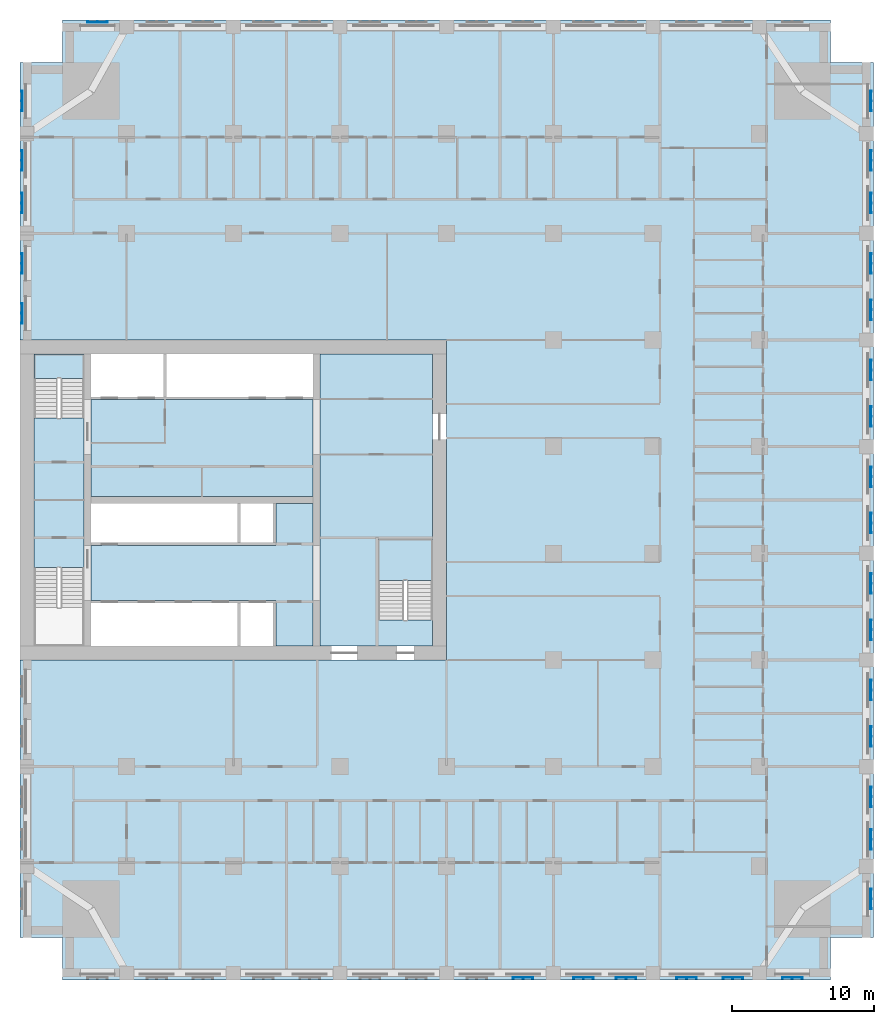
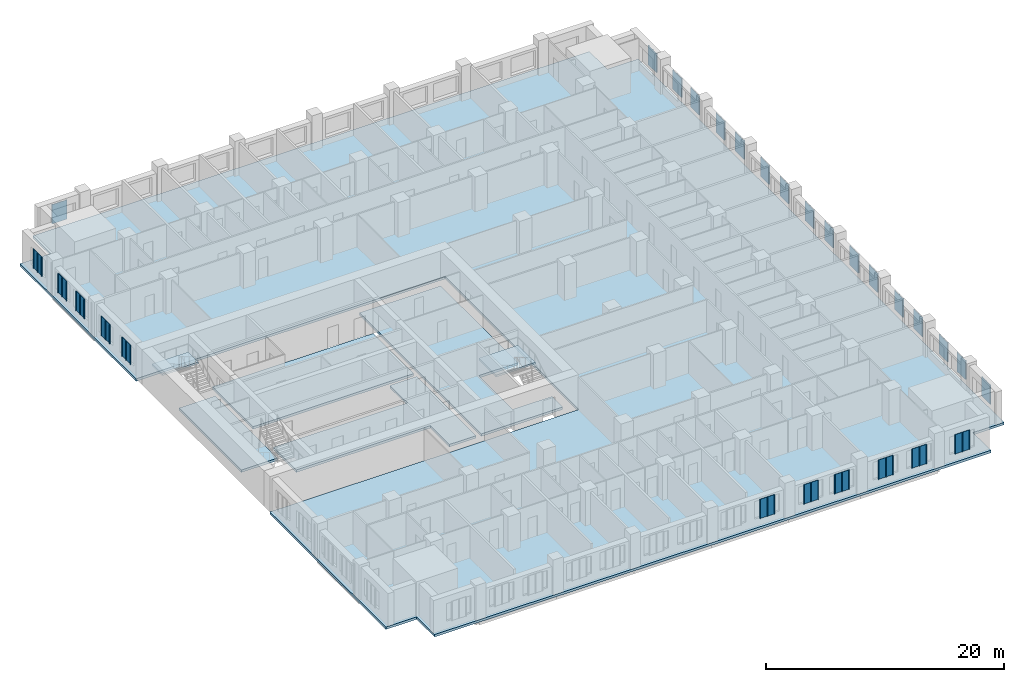
# One storey, part 2 of 15: 28 plates, 7 slabs, 2 elements without a shape of their own.
"""IFC4 building model written with IfcOpenShell, lengths in metres."""

from ifc_helpers import new_model, si_unit, direction, frame, origin, place, context, subcontext, project, spatial, polyline, outline, extrude, material, layer, layer_set, type_object, element, aggregate, save


model = new_model("IFC4")

# Units and contexts
model_context = context("Model", 3, precision=1e-05, world=origin(), true_north=direction((0.0, 1.0)))
body_context = subcontext(model_context, "Body", "Model", "MODEL_VIEW")
ifc_project = project(units=[si_unit("LENGTHUNIT", "METRE"), si_unit("AREAUNIT", "SQUARE_METRE"), si_unit("VOLUMEUNIT", "CUBIC_METRE"), si_unit("PLANEANGLEUNIT", "RADIAN"), si_unit("MASSUNIT", "GRAM", prefix="KILO")], contexts=[model_context])

# Site, building, storey
site_placement = place(None, origin())
site = spatial("IfcSite", under=ifc_project, at=site_placement, CompositionType="ELEMENT")
building_placement = place(site_placement, origin())
building = spatial("IfcBuilding", under=site, at=building_placement, Name="Tamorin Gate", CompositionType="ELEMENT")
storey_placement = place(building_placement, frame((0.0, 0.0, 62.800048828125)))
storey = spatial("IfcBuildingStorey", under=building, at=storey_placement, Name="L14", CompositionType="ELEMENT", Elevation=62.800048828125)

# Slabs
ifc_material_1 = material(Name="Concrete C40/50", Category="concrete")
ifc_layer_1 = layer(ifc_material_1, 0.25)
ifc_layer_set_1 = layer_set([ifc_layer_1], Name="Core floor slab 250 C40/50")
slab_type_1 = type_object("IfcSlabType", Name="Core floor slab 250 C40/50", PredefinedType="FLOOR", material=ifc_layer_set_1)
slab_1_placement = place(storey_placement, frame((0.0, 0.0, -0.25)))
element("IfcSlab", 1, at=slab_1_placement, inside=storey, type_object=slab_type_1, Name="Core floor L14", PredefinedType="FLOOR", context=body_context, shape_type="SweptSolid", body=[
    extrude(outline(polyline([(59.0, 62.800048828125), (59.0, 61.0), (51.10009765625, 61.0), (51.10009765625, 81.5), (59.0, 81.5), (59.0, 68.5), (55.199951171875, 68.5), (55.199951171875, 62.800048828125), (59.0, 62.800048828125)])), origin(), (0.0, 0.0, 1.0), 0.25),
])
slab_2_placement = place(storey_placement, frame((0.0, 0.0, -0.25)))
element("IfcSlab", 2, at=slab_2_placement, inside=storey, type_object=slab_type_1, Name="Core floor L14", PredefinedType="FLOOR", context=body_context, shape_type="SweptSolid", body=[
    extrude(outline(polyline([(50.60009765625, 61.0), (48.0, 61.0), (48.0, 64.199951171875), (35.0, 64.199951171875), (35.0, 68.050048828125), (48.0, 68.050048828125), (48.0, 71.0), (50.60009765625, 71.0), (50.60009765625, 61.0)])), origin(), (0.0, 0.0, 1.0), 0.25),
])
slab_3_placement = place(storey_placement, frame((0.0, 0.0, -0.25)))
element("IfcSlab", 3, at=slab_3_placement, inside=storey, type_object=slab_type_1, Name="Core floor L14", PredefinedType="FLOOR", context=body_context, shape_type="SweptSolid", body=[
    extrude(outline(polyline([(50.60009765625, 71.5), (35.0, 71.5), (35.0, 78.300048828125), (50.60009765625, 78.300048828125), (50.60009765625, 71.5)])), origin(), (0.0, 0.0, 1.0), 0.25),
])
slab_4_placement = place(storey_placement, frame((0.0, 0.0, -0.25)))
element("IfcSlab", 4, at=slab_4_placement, inside=storey, type_object=slab_type_1, Name="Core floor L14", PredefinedType="FLOOR", context=body_context, shape_type="SweptSolid", body=[
    extrude(outline(polyline([(31.0, 66.5), (31.0, 77.0), (34.5, 77.0), (34.5, 66.5), (31.0, 66.5)])), origin(), (0.0, 0.0, 1.0), 0.25),
])

# Stair, slab
stair_type = type_object("IfcStairType", Name="Exit stair", PredefinedType="HALF_TURN_STAIR", material=ifc_material_1)
stair_1_placement = place(storey_placement, origin())
stair_1 = element("IfcStair", 5, at=stair_1_placement, inside=storey, type_object=stair_type, Name="L14 stair ST2", PredefinedType="HALF_TURN_STAIR")
ifc_layer_2 = layer(ifc_material_1, 0.199951171875)
ifc_layer_set_2 = layer_set([ifc_layer_2], Name="Exit stair landing 200")
slab_type_2 = type_object("IfcSlabType", Name="Exit stair landing 200", PredefinedType="LANDING", material=ifc_layer_set_2)
slab_5_placement = place(storey_placement, frame((0.0, 0.0, 1.599853515625)))
slab_5 = element("IfcSlab", 6, at=slab_5_placement, type_object=slab_type_2, Name="ST2 landing 1", PredefinedType="LANDING", context=body_context, shape_type="SweptSolid", body=[
    extrude(outline(polyline([(34.5, 79.800048828125), (34.5, 81.5), (31.0, 81.5), (31.0, 79.800048828125), (34.5, 79.800048828125)])), origin(), (0.0, 0.0, 1.0), 0.2001953125),
])
aggregate(stair_1, [slab_5])

stair_2_placement = place(storey_placement, origin())
stair_2 = element("IfcStair", 7, at=stair_2_placement, inside=storey, type_object=stair_type, Name="L14 stair ST3", PredefinedType="HALF_TURN_STAIR")
slab_6_placement = place(storey_placement, frame((0.0, 0.0, 1.599853515625)))
slab_6 = element("IfcSlab", 8, at=slab_6_placement, type_object=slab_type_2, Name="ST3 landing 1", PredefinedType="LANDING", context=body_context, shape_type="SweptSolid", body=[
    extrude(outline(polyline([(59.0, 65.60009765625), (59.0, 68.5), (55.199951171875, 68.5), (55.199951171875, 65.60009765625), (59.0, 65.60009765625)])), origin(), (0.0, 0.0, 1.0), 0.2001953125),
])
aggregate(stair_2, [slab_6])

# Slab
ifc_layer_3 = layer(ifc_material_1, 0.25)
ifc_layer_set_3 = layer_set([ifc_layer_3], Name="Floor slab 250 C40/50")
slab_type_3 = type_object("IfcSlabType", Name="Floor slab 250 C40/50", PredefinedType="FLOOR", material=ifc_layer_set_3)
slab_7_placement = place(storey_placement, frame((0.0, 0.0, -0.25)))
element("IfcSlab", 9, at=slab_7_placement, inside=storey, type_object=slab_type_3, Name="Floor L14", PredefinedType="FLOOR", context=body_context, shape_type="SweptSolid", body=[
    extrude(outline(polyline([(30.0, 102.0), (33.0, 102.0), (33.0, 105.0), (87.0, 105.0), (87.0, 102.0), (90.0, 102.0), (90.0, 40.5), (87.0, 40.5), (87.0, 37.5), (33.0, 37.5), (33.0, 40.5), (30.0, 40.5), (30.0, 60.0), (60.0, 60.0), (60.0, 82.5), (30.0, 82.5), (30.0, 102.0)])), origin(), (0.0, 0.0, 1.0), 0.25),
])

# Plates
ifc_material_2 = material(Name="Perforated pale aluminium sheet", Category="aluminium")
ifc_layer_4 = layer(ifc_material_2, 0.0400390625)
ifc_layer_set_4 = layer_set([ifc_layer_4], Name="Pale metal solar screen 1440")
plate_type = type_object("IfcPlateType", Name="Pale metal solar screen 1440", PredefinedType="SHEET", material=ifc_layer_set_4)
plate_1_placement = place(storey_placement, frame((0.0, 0.0, 0.7099609375)))
element("IfcPlate", 10, at=plate_1_placement, inside=storey, type_object=plate_type, Name="Perforated solar screen", PredefinedType="SHEET", context=body_context, shape_type="SweptSolid", body=[
    extrude(outline(polyline([(64.655029296875, 37.659912109375), (64.655029296875, 37.699951171875), (64.715087890625, 37.699951171875), (65.344970703125, 37.699951171875), (65.405029296875, 37.699951171875), (66.034912109375, 37.699951171875), (66.094970703125, 37.699951171875), (66.094970703125, 37.659912109375), (66.094970703125, 37.60009765625), (66.034912109375, 37.60009765625), (66.034912109375, 37.659912109375), (65.405029296875, 37.659912109375), (65.405029296875, 37.60009765625), (65.344970703125, 37.60009765625), (65.344970703125, 37.659912109375), (64.715087890625, 37.659912109375), (64.715087890625, 37.60009765625), (64.655029296875, 37.60009765625), (64.655029296875, 37.659912109375)])), origin(), (0.0, 0.0, 1.0), 1.97998046875),
])
plate_2_placement = place(storey_placement, frame((0.0, 0.0, 0.7099609375)))
element("IfcPlate", 11, at=plate_2_placement, inside=storey, type_object=plate_type, Name="Perforated solar screen", PredefinedType="SHEET", context=body_context, shape_type="SweptSolid", body=[
    extrude(outline(polyline([(68.905029296875, 37.659912109375), (68.905029296875, 37.699951171875), (68.965087890625, 37.699951171875), (69.594970703125, 37.699951171875), (69.655029296875, 37.699951171875), (70.284912109375, 37.699951171875), (70.344970703125, 37.699951171875), (70.344970703125, 37.659912109375), (70.344970703125, 37.60009765625), (70.284912109375, 37.60009765625), (70.284912109375, 37.659912109375), (69.655029296875, 37.659912109375), (69.655029296875, 37.60009765625), (69.594970703125, 37.60009765625), (69.594970703125, 37.659912109375), (68.965087890625, 37.659912109375), (68.965087890625, 37.60009765625), (68.905029296875, 37.60009765625), (68.905029296875, 37.659912109375)])), origin(), (0.0, 0.0, 1.0), 1.97998046875),
])
plate_3_placement = place(storey_placement, frame((0.0, 0.0, 0.7099609375)))
element("IfcPlate", 12, at=plate_3_placement, inside=storey, type_object=plate_type, Name="Perforated solar screen", PredefinedType="SHEET", context=body_context, shape_type="SweptSolid", body=[
    extrude(outline(polyline([(71.905029296875, 37.659912109375), (71.905029296875, 37.699951171875), (71.965087890625, 37.699951171875), (72.594970703125, 37.699951171875), (72.655029296875, 37.699951171875), (73.284912109375, 37.699951171875), (73.344970703125, 37.699951171875), (73.344970703125, 37.659912109375), (73.344970703125, 37.60009765625), (73.284912109375, 37.60009765625), (73.284912109375, 37.659912109375), (72.655029296875, 37.659912109375), (72.655029296875, 37.60009765625), (72.594970703125, 37.60009765625), (72.594970703125, 37.659912109375), (71.965087890625, 37.659912109375), (71.965087890625, 37.60009765625), (71.905029296875, 37.60009765625), (71.905029296875, 37.659912109375)])), origin(), (0.0, 0.0, 1.0), 1.97998046875),
])
plate_4_placement = place(storey_placement, frame((0.0, 0.0, 0.7099609375)))
element("IfcPlate", 13, at=plate_4_placement, inside=storey, type_object=plate_type, Name="Perforated solar screen", PredefinedType="SHEET", context=body_context, shape_type="SweptSolid", body=[
    extrude(outline(polyline([(76.155029296875, 37.659912109375), (76.155029296875, 37.699951171875), (76.215087890625, 37.699951171875), (76.844970703125, 37.699951171875), (76.905029296875, 37.699951171875), (77.534912109375, 37.699951171875), (77.594970703125, 37.699951171875), (77.594970703125, 37.659912109375), (77.594970703125, 37.60009765625), (77.534912109375, 37.60009765625), (77.534912109375, 37.659912109375), (76.905029296875, 37.659912109375), (76.905029296875, 37.60009765625), (76.844970703125, 37.60009765625), (76.844970703125, 37.659912109375), (76.215087890625, 37.659912109375), (76.215087890625, 37.60009765625), (76.155029296875, 37.60009765625), (76.155029296875, 37.659912109375)])), origin(), (0.0, 0.0, 1.0), 1.97998046875),
])
plate_5_placement = place(storey_placement, frame((0.0, 0.0, 0.7099609375)))
element("IfcPlate", 14, at=plate_5_placement, inside=storey, type_object=plate_type, Name="Perforated solar screen", PredefinedType="SHEET", context=body_context, shape_type="SweptSolid", body=[
    extrude(outline(polyline([(79.405029296875, 37.659912109375), (79.405029296875, 37.699951171875), (79.465087890625, 37.699951171875), (80.094970703125, 37.699951171875), (80.155029296875, 37.699951171875), (80.784912109375, 37.699951171875), (80.844970703125, 37.699951171875), (80.844970703125, 37.659912109375), (80.844970703125, 37.60009765625), (80.784912109375, 37.60009765625), (80.784912109375, 37.659912109375), (80.155029296875, 37.659912109375), (80.155029296875, 37.60009765625), (80.094970703125, 37.60009765625), (80.094970703125, 37.659912109375), (79.465087890625, 37.659912109375), (79.465087890625, 37.60009765625), (79.405029296875, 37.60009765625), (79.405029296875, 37.659912109375)])), origin(), (0.0, 0.0, 1.0), 1.97998046875),
])
plate_6_placement = place(storey_placement, frame((0.0, 0.0, 0.7099609375)))
element("IfcPlate", 15, at=plate_6_placement, inside=storey, type_object=plate_type, Name="Perforated solar screen", PredefinedType="SHEET", context=body_context, shape_type="SweptSolid", body=[
    extrude(outline(polyline([(83.580078125, 37.659912109375), (83.580078125, 37.699951171875), (83.639892578125, 37.699951171875), (84.27001953125, 37.699951171875), (84.330078125, 37.699951171875), (84.9599609375, 37.699951171875), (85.02001953125, 37.699951171875), (85.02001953125, 37.659912109375), (85.02001953125, 37.60009765625), (84.9599609375, 37.60009765625), (84.9599609375, 37.659912109375), (84.330078125, 37.659912109375), (84.330078125, 37.60009765625), (84.27001953125, 37.60009765625), (84.27001953125, 37.659912109375), (83.639892578125, 37.659912109375), (83.639892578125, 37.60009765625), (83.580078125, 37.60009765625), (83.580078125, 37.659912109375)])), origin(), (0.0, 0.0, 1.0), 1.97998046875),
])
plate_7_placement = place(storey_placement, frame((0.0, 0.0, 0.7099609375)))
element("IfcPlate", 16, at=plate_7_placement, inside=storey, type_object=plate_type, Name="Perforated solar screen", PredefinedType="SHEET", context=body_context, shape_type="SweptSolid", body=[
    extrude(outline(polyline([(89.840087890625, 42.47998046875), (89.800048828125, 42.47998046875), (89.800048828125, 42.5400390625), (89.800048828125, 43.169921875), (89.800048828125, 43.22998046875), (89.800048828125, 43.860107421875), (89.800048828125, 43.919921875), (89.840087890625, 43.919921875), (89.89990234375, 43.919921875), (89.89990234375, 43.860107421875), (89.840087890625, 43.860107421875), (89.840087890625, 43.22998046875), (89.89990234375, 43.22998046875), (89.89990234375, 43.169921875), (89.840087890625, 43.169921875), (89.840087890625, 42.5400390625), (89.89990234375, 42.5400390625), (89.89990234375, 42.47998046875), (89.840087890625, 42.47998046875)])), origin(), (0.0, 0.0, 1.0), 1.97998046875),
])
plate_8_placement = place(storey_placement, frame((0.0, 0.0, 0.7099609375)))
element("IfcPlate", 17, at=plate_8_placement, inside=storey, type_object=plate_type, Name="Perforated solar screen", PredefinedType="SHEET", context=body_context, shape_type="SweptSolid", body=[
    extrude(outline(polyline([(89.840087890625, 46.655029296875), (89.800048828125, 46.655029296875), (89.800048828125, 46.715087890625), (89.800048828125, 47.344970703125), (89.800048828125, 47.405029296875), (89.800048828125, 48.034912109375), (89.800048828125, 48.094970703125), (89.800048828125, 48.094970703125), (89.840087890625, 48.094970703125), (89.840087890625, 48.094970703125), (89.89990234375, 48.094970703125), (89.89990234375, 48.034912109375), (89.840087890625, 48.034912109375), (89.840087890625, 47.405029296875), (89.89990234375, 47.405029296875), (89.89990234375, 47.344970703125), (89.840087890625, 47.344970703125), (89.840087890625, 46.715087890625), (89.89990234375, 46.715087890625), (89.89990234375, 46.655029296875), (89.840087890625, 46.655029296875)])), origin(), (0.0, 0.0, 1.0), 1.97998046875),
])
plate_9_placement = place(storey_placement, frame((0.0, 0.0, 0.7099609375)))
element("IfcPlate", 18, at=plate_9_placement, inside=storey, type_object=plate_type, Name="Perforated solar screen", PredefinedType="SHEET", context=body_context, shape_type="SweptSolid", body=[
    extrude(outline(polyline([(89.840087890625, 49.655029296875), (89.800048828125, 49.655029296875), (89.800048828125, 49.715087890625), (89.800048828125, 50.344970703125), (89.800048828125, 50.405029296875), (89.800048828125, 51.034912109375), (89.800048828125, 51.094970703125), (89.840087890625, 51.094970703125), (89.89990234375, 51.094970703125), (89.89990234375, 51.034912109375), (89.840087890625, 51.034912109375), (89.840087890625, 50.405029296875), (89.89990234375, 50.405029296875), (89.89990234375, 50.344970703125), (89.840087890625, 50.344970703125), (89.840087890625, 49.715087890625), (89.89990234375, 49.715087890625), (89.89990234375, 49.655029296875), (89.840087890625, 49.655029296875)])), origin(), (0.0, 0.0, 1.0), 1.97998046875),
])
plate_10_placement = place(storey_placement, frame((0.0, 0.0, 0.7099609375)))
element("IfcPlate", 19, at=plate_10_placement, inside=storey, type_object=plate_type, Name="Perforated solar screen", PredefinedType="SHEET", context=body_context, shape_type="SweptSolid", body=[
    extrude(outline(polyline([(89.840087890625, 53.905029296875), (89.800048828125, 53.905029296875), (89.800048828125, 53.965087890625), (89.800048828125, 54.594970703125), (89.800048828125, 54.655029296875), (89.800048828125, 55.284912109375), (89.800048828125, 55.344970703125), (89.840087890625, 55.344970703125), (89.89990234375, 55.344970703125), (89.89990234375, 55.284912109375), (89.840087890625, 55.284912109375), (89.840087890625, 54.655029296875), (89.89990234375, 54.655029296875), (89.89990234375, 54.594970703125), (89.840087890625, 54.594970703125), (89.840087890625, 53.965087890625), (89.89990234375, 53.965087890625), (89.89990234375, 53.905029296875), (89.840087890625, 53.905029296875)])), origin(), (0.0, 0.0, 1.0), 1.97998046875),
])
plate_11_placement = place(storey_placement, frame((0.0, 0.0, 0.7099609375)))
element("IfcPlate", 20, at=plate_11_placement, inside=storey, type_object=plate_type, Name="Perforated solar screen", PredefinedType="SHEET", context=body_context, shape_type="SweptSolid", body=[
    extrude(outline(polyline([(89.840087890625, 57.155029296875), (89.800048828125, 57.155029296875), (89.800048828125, 57.215087890625), (89.800048828125, 57.844970703125), (89.800048828125, 57.905029296875), (89.800048828125, 58.534912109375), (89.800048828125, 58.594970703125), (89.840087890625, 58.594970703125), (89.89990234375, 58.594970703125), (89.89990234375, 58.534912109375), (89.840087890625, 58.534912109375), (89.840087890625, 57.905029296875), (89.89990234375, 57.905029296875), (89.89990234375, 57.844970703125), (89.840087890625, 57.844970703125), (89.840087890625, 57.215087890625), (89.89990234375, 57.215087890625), (89.89990234375, 57.155029296875), (89.840087890625, 57.155029296875)])), origin(), (0.0, 0.0, 1.0), 1.97998046875),
])
plate_12_placement = place(storey_placement, frame((0.0, 0.0, 0.7099609375)))
element("IfcPlate", 21, at=plate_12_placement, inside=storey, type_object=plate_type, Name="Perforated solar screen", PredefinedType="SHEET", context=body_context, shape_type="SweptSolid", body=[
    extrude(outline(polyline([(89.840087890625, 61.405029296875), (89.800048828125, 61.405029296875), (89.800048828125, 61.465087890625), (89.800048828125, 62.094970703125), (89.800048828125, 62.155029296875), (89.800048828125, 62.784912109375), (89.800048828125, 62.844970703125), (89.840087890625, 62.844970703125), (89.89990234375, 62.844970703125), (89.89990234375, 62.784912109375), (89.840087890625, 62.784912109375), (89.840087890625, 62.155029296875), (89.89990234375, 62.155029296875), (89.89990234375, 62.094970703125), (89.840087890625, 62.094970703125), (89.840087890625, 61.465087890625), (89.89990234375, 61.465087890625), (89.89990234375, 61.405029296875), (89.840087890625, 61.405029296875)])), origin(), (0.0, 0.0, 1.0), 1.97998046875),
])
plate_13_placement = place(storey_placement, frame((0.0, 0.0, 0.7099609375)))
element("IfcPlate", 22, at=plate_13_placement, inside=storey, type_object=plate_type, Name="Perforated solar screen", PredefinedType="SHEET", context=body_context, shape_type="SweptSolid", body=[
    extrude(outline(polyline([(89.840087890625, 64.655029296875), (89.800048828125, 64.655029296875), (89.800048828125, 64.715087890625), (89.800048828125, 65.344970703125), (89.800048828125, 65.405029296875), (89.800048828125, 66.034912109375), (89.800048828125, 66.094970703125), (89.840087890625, 66.094970703125), (89.89990234375, 66.094970703125), (89.89990234375, 66.034912109375), (89.840087890625, 66.034912109375), (89.840087890625, 65.405029296875), (89.89990234375, 65.405029296875), (89.89990234375, 65.344970703125), (89.840087890625, 65.344970703125), (89.840087890625, 64.715087890625), (89.89990234375, 64.715087890625), (89.89990234375, 64.655029296875), (89.840087890625, 64.655029296875)])), origin(), (0.0, 0.0, 1.0), 1.97998046875),
])
plate_14_placement = place(storey_placement, frame((0.0, 0.0, 0.7099609375)))
element("IfcPlate", 23, at=plate_14_placement, inside=storey, type_object=plate_type, Name="Perforated solar screen", PredefinedType="SHEET", context=body_context, shape_type="SweptSolid", body=[
    extrude(outline(polyline([(89.840087890625, 68.905029296875), (89.800048828125, 68.905029296875), (89.800048828125, 68.965087890625), (89.800048828125, 69.594970703125), (89.800048828125, 69.655029296875), (89.800048828125, 70.284912109375), (89.800048828125, 70.344970703125), (89.840087890625, 70.344970703125), (89.89990234375, 70.344970703125), (89.89990234375, 70.284912109375), (89.840087890625, 70.284912109375), (89.840087890625, 69.655029296875), (89.89990234375, 69.655029296875), (89.89990234375, 69.594970703125), (89.840087890625, 69.594970703125), (89.840087890625, 68.965087890625), (89.89990234375, 68.965087890625), (89.89990234375, 68.905029296875), (89.840087890625, 68.905029296875)])), origin(), (0.0, 0.0, 1.0), 1.97998046875),
])
plate_15_placement = place(storey_placement, frame((0.0, 0.0, 0.7099609375)))
element("IfcPlate", 24, at=plate_15_placement, inside=storey, type_object=plate_type, Name="Perforated solar screen", PredefinedType="SHEET", context=body_context, shape_type="SweptSolid", body=[
    extrude(outline(polyline([(89.840087890625, 72.155029296875), (89.800048828125, 72.155029296875), (89.800048828125, 72.215087890625), (89.800048828125, 72.844970703125), (89.800048828125, 72.905029296875), (89.800048828125, 73.534912109375), (89.800048828125, 73.594970703125), (89.840087890625, 73.594970703125), (89.89990234375, 73.594970703125), (89.89990234375, 73.534912109375), (89.840087890625, 73.534912109375), (89.840087890625, 72.905029296875), (89.89990234375, 72.905029296875), (89.89990234375, 72.844970703125), (89.840087890625, 72.844970703125), (89.840087890625, 72.215087890625), (89.89990234375, 72.215087890625), (89.89990234375, 72.155029296875), (89.840087890625, 72.155029296875)])), origin(), (0.0, 0.0, 1.0), 1.97998046875),
])
plate_16_placement = place(storey_placement, frame((0.0, 0.0, 0.7099609375)))
element("IfcPlate", 25, at=plate_16_placement, inside=storey, type_object=plate_type, Name="Perforated solar screen", PredefinedType="SHEET", context=body_context, shape_type="SweptSolid", body=[
    extrude(outline(polyline([(89.840087890625, 76.405029296875), (89.800048828125, 76.405029296875), (89.800048828125, 76.465087890625), (89.800048828125, 77.094970703125), (89.800048828125, 77.155029296875), (89.800048828125, 77.784912109375), (89.800048828125, 77.844970703125), (89.840087890625, 77.844970703125), (89.89990234375, 77.844970703125), (89.89990234375, 77.784912109375), (89.840087890625, 77.784912109375), (89.840087890625, 77.155029296875), (89.89990234375, 77.155029296875), (89.89990234375, 77.094970703125), (89.840087890625, 77.094970703125), (89.840087890625, 76.465087890625), (89.89990234375, 76.465087890625), (89.89990234375, 76.405029296875), (89.840087890625, 76.405029296875)])), origin(), (0.0, 0.0, 1.0), 1.97998046875),
])
plate_17_placement = place(storey_placement, frame((0.0, 0.0, 0.7099609375)))
element("IfcPlate", 26, at=plate_17_placement, inside=storey, type_object=plate_type, Name="Perforated solar screen", PredefinedType="SHEET", context=body_context, shape_type="SweptSolid", body=[
    extrude(outline(polyline([(89.840087890625, 79.655029296875), (89.800048828125, 79.655029296875), (89.800048828125, 79.715087890625), (89.800048828125, 80.344970703125), (89.800048828125, 80.405029296875), (89.800048828125, 81.034912109375), (89.800048828125, 81.094970703125), (89.840087890625, 81.094970703125), (89.89990234375, 81.094970703125), (89.89990234375, 81.034912109375), (89.840087890625, 81.034912109375), (89.840087890625, 80.405029296875), (89.89990234375, 80.405029296875), (89.89990234375, 80.344970703125), (89.840087890625, 80.344970703125), (89.840087890625, 79.715087890625), (89.89990234375, 79.715087890625), (89.89990234375, 79.655029296875), (89.840087890625, 79.655029296875)])), origin(), (0.0, 0.0, 1.0), 1.97998046875),
])
plate_18_placement = place(storey_placement, frame((0.0, 0.0, 0.7099609375)))
element("IfcPlate", 27, at=plate_18_placement, inside=storey, type_object=plate_type, Name="Perforated solar screen", PredefinedType="SHEET", context=body_context, shape_type="SweptSolid", body=[
    extrude(outline(polyline([(89.840087890625, 83.905029296875), (89.800048828125, 83.905029296875), (89.800048828125, 83.965087890625), (89.800048828125, 84.594970703125), (89.800048828125, 84.655029296875), (89.800048828125, 85.284912109375), (89.800048828125, 85.344970703125), (89.840087890625, 85.344970703125), (89.89990234375, 85.344970703125), (89.89990234375, 85.284912109375), (89.840087890625, 85.284912109375), (89.840087890625, 84.655029296875), (89.89990234375, 84.655029296875), (89.89990234375, 84.594970703125), (89.840087890625, 84.594970703125), (89.840087890625, 83.965087890625), (89.89990234375, 83.965087890625), (89.89990234375, 83.905029296875), (89.840087890625, 83.905029296875)])), origin(), (0.0, 0.0, 1.0), 1.97998046875),
])
plate_19_placement = place(storey_placement, frame((0.0, 0.0, 0.7099609375)))
element("IfcPlate", 28, at=plate_19_placement, inside=storey, type_object=plate_type, Name="Perforated solar screen", PredefinedType="SHEET", context=body_context, shape_type="SweptSolid", body=[
    extrude(outline(polyline([(89.840087890625, 87.155029296875), (89.800048828125, 87.155029296875), (89.800048828125, 87.215087890625), (89.800048828125, 87.844970703125), (89.800048828125, 87.905029296875), (89.800048828125, 88.534912109375), (89.800048828125, 88.594970703125), (89.840087890625, 88.594970703125), (89.89990234375, 88.594970703125), (89.89990234375, 88.534912109375), (89.840087890625, 88.534912109375), (89.840087890625, 87.905029296875), (89.89990234375, 87.905029296875), (89.89990234375, 87.844970703125), (89.840087890625, 87.844970703125), (89.840087890625, 87.215087890625), (89.89990234375, 87.215087890625), (89.89990234375, 87.155029296875), (89.840087890625, 87.155029296875)])), origin(), (0.0, 0.0, 1.0), 1.97998046875),
])
plate_20_placement = place(storey_placement, frame((0.0, 0.0, 0.7099609375)))
element("IfcPlate", 29, at=plate_20_placement, inside=storey, type_object=plate_type, Name="Perforated solar screen", PredefinedType="SHEET", context=body_context, shape_type="SweptSolid", body=[
    extrude(outline(polyline([(89.840087890625, 91.405029296875), (89.800048828125, 91.405029296875), (89.800048828125, 91.465087890625), (89.800048828125, 92.094970703125), (89.800048828125, 92.155029296875), (89.800048828125, 92.784912109375), (89.800048828125, 92.844970703125), (89.840087890625, 92.844970703125), (89.89990234375, 92.844970703125), (89.89990234375, 92.784912109375), (89.840087890625, 92.784912109375), (89.840087890625, 92.155029296875), (89.89990234375, 92.155029296875), (89.89990234375, 92.094970703125), (89.840087890625, 92.094970703125), (89.840087890625, 91.465087890625), (89.89990234375, 91.465087890625), (89.89990234375, 91.405029296875), (89.840087890625, 91.405029296875)])), origin(), (0.0, 0.0, 1.0), 1.97998046875),
])
plate_21_placement = place(storey_placement, frame((0.0, 0.0, 0.7099609375)))
element("IfcPlate", 30, at=plate_21_placement, inside=storey, type_object=plate_type, Name="Perforated solar screen", PredefinedType="SHEET", context=body_context, shape_type="SweptSolid", body=[
    extrude(outline(polyline([(89.840087890625, 94.405029296875), (89.800048828125, 94.405029296875), (89.800048828125, 94.465087890625), (89.800048828125, 95.094970703125), (89.800048828125, 95.155029296875), (89.800048828125, 95.784912109375), (89.800048828125, 95.844970703125), (89.840087890625, 95.844970703125), (89.89990234375, 95.844970703125), (89.89990234375, 95.784912109375), (89.840087890625, 95.784912109375), (89.840087890625, 95.155029296875), (89.89990234375, 95.155029296875), (89.89990234375, 95.094970703125), (89.840087890625, 95.094970703125), (89.840087890625, 94.465087890625), (89.89990234375, 94.465087890625), (89.89990234375, 94.405029296875), (89.840087890625, 94.405029296875)])), origin(), (0.0, 0.0, 1.0), 1.97998046875),
])
plate_22_placement = place(storey_placement, frame((0.0, 0.0, 0.7099609375)))
element("IfcPlate", 31, at=plate_22_placement, inside=storey, type_object=plate_type, Name="Perforated solar screen", PredefinedType="SHEET", context=body_context, shape_type="SweptSolid", body=[
    extrude(outline(polyline([(89.840087890625, 98.580078125), (89.800048828125, 98.580078125), (89.800048828125, 98.639892578125), (89.800048828125, 99.27001953125), (89.800048828125, 99.330078125), (89.800048828125, 99.9599609375), (89.800048828125, 100.02001953125), (89.840087890625, 100.02001953125), (89.89990234375, 100.02001953125), (89.89990234375, 99.9599609375), (89.840087890625, 99.9599609375), (89.840087890625, 99.330078125), (89.89990234375, 99.330078125), (89.89990234375, 99.27001953125), (89.840087890625, 99.27001953125), (89.840087890625, 98.639892578125), (89.89990234375, 98.639892578125), (89.89990234375, 98.580078125), (89.840087890625, 98.580078125)])), origin(), (0.0, 0.0, 1.0), 1.97998046875),
])
plate_23_placement = place(storey_placement, frame((0.0, 0.0, 0.7099609375)))
element("IfcPlate", 32, at=plate_23_placement, inside=storey, type_object=plate_type, Name="Perforated solar screen", PredefinedType="SHEET", context=body_context, shape_type="SweptSolid", body=[
    extrude(outline(polyline([(36.169921875, 104.840087890625), (36.169921875, 104.800048828125), (36.110107421875, 104.800048828125), (35.47998046875, 104.800048828125), (35.419921875, 104.800048828125), (34.7900390625, 104.800048828125), (34.72998046875, 104.800048828125), (34.72998046875, 104.840087890625), (34.72998046875, 104.89990234375), (34.7900390625, 104.89990234375), (34.7900390625, 104.840087890625), (35.419921875, 104.840087890625), (35.419921875, 104.89990234375), (35.47998046875, 104.89990234375), (35.47998046875, 104.840087890625), (36.110107421875, 104.840087890625), (36.110107421875, 104.89990234375), (36.169921875, 104.89990234375), (36.169921875, 104.840087890625)])), origin(), (0.0, 0.0, 1.0), 1.97998046875),
])
plate_24_placement = place(storey_placement, frame((0.0, 0.0, 0.7099609375)))
element("IfcPlate", 33, at=plate_24_placement, inside=storey, type_object=plate_type, Name="Perforated solar screen", PredefinedType="SHEET", context=body_context, shape_type="SweptSolid", body=[
    extrude(outline(polyline([(30.159912109375, 100.02001953125), (30.199951171875, 100.02001953125), (30.199951171875, 99.9599609375), (30.199951171875, 99.330078125), (30.199951171875, 99.27001953125), (30.199951171875, 98.639892578125), (30.199951171875, 98.580078125), (30.159912109375, 98.580078125), (30.10009765625, 98.580078125), (30.10009765625, 98.639892578125), (30.159912109375, 98.639892578125), (30.159912109375, 99.27001953125), (30.10009765625, 99.27001953125), (30.10009765625, 99.330078125), (30.159912109375, 99.330078125), (30.159912109375, 99.9599609375), (30.10009765625, 99.9599609375), (30.10009765625, 100.02001953125), (30.159912109375, 100.02001953125)])), origin(), (0.0, 0.0, 1.0), 1.97998046875),
])
plate_25_placement = place(storey_placement, frame((0.0, 0.0, 0.7099609375)))
element("IfcPlate", 34, at=plate_25_placement, inside=storey, type_object=plate_type, Name="Perforated solar screen", PredefinedType="SHEET", context=body_context, shape_type="SweptSolid", body=[
    extrude(outline(polyline([(30.159912109375, 92.844970703125), (30.199951171875, 92.844970703125), (30.199951171875, 92.784912109375), (30.199951171875, 92.155029296875), (30.199951171875, 92.094970703125), (30.199951171875, 91.465087890625), (30.199951171875, 91.405029296875), (30.159912109375, 91.405029296875), (30.10009765625, 91.405029296875), (30.10009765625, 91.465087890625), (30.159912109375, 91.465087890625), (30.159912109375, 92.094970703125), (30.10009765625, 92.094970703125), (30.10009765625, 92.155029296875), (30.159912109375, 92.155029296875), (30.159912109375, 92.784912109375), (30.10009765625, 92.784912109375), (30.10009765625, 92.844970703125), (30.159912109375, 92.844970703125)])), origin(), (0.0, 0.0, 1.0), 1.97998046875),
])
plate_26_placement = place(storey_placement, frame((0.0, 0.0, 0.7099609375)))
element("IfcPlate", 35, at=plate_26_placement, inside=storey, type_object=plate_type, Name="Perforated solar screen", PredefinedType="SHEET", context=body_context, shape_type="SweptSolid", body=[
    extrude(outline(polyline([(30.159912109375, 95.844970703125), (30.199951171875, 95.844970703125), (30.199951171875, 95.784912109375), (30.199951171875, 95.155029296875), (30.199951171875, 95.094970703125), (30.199951171875, 94.465087890625), (30.199951171875, 94.405029296875), (30.199951171875, 94.405029296875), (30.159912109375, 94.405029296875), (30.159912109375, 94.405029296875), (30.10009765625, 94.405029296875), (30.10009765625, 94.465087890625), (30.159912109375, 94.465087890625), (30.159912109375, 95.094970703125), (30.10009765625, 95.094970703125), (30.10009765625, 95.155029296875), (30.159912109375, 95.155029296875), (30.159912109375, 95.784912109375), (30.10009765625, 95.784912109375), (30.10009765625, 95.844970703125), (30.159912109375, 95.844970703125)])), origin(), (0.0, 0.0, 1.0), 1.97998046875),
])
plate_27_placement = place(storey_placement, frame((0.0, 0.0, 0.7099609375)))
element("IfcPlate", 36, at=plate_27_placement, inside=storey, type_object=plate_type, Name="Perforated solar screen", PredefinedType="SHEET", context=body_context, shape_type="SweptSolid", body=[
    extrude(outline(polyline([(30.159912109375, 85.094970703125), (30.199951171875, 85.094970703125), (30.199951171875, 85.034912109375), (30.199951171875, 84.405029296875), (30.199951171875, 84.344970703125), (30.199951171875, 83.715087890625), (30.199951171875, 83.655029296875), (30.159912109375, 83.655029296875), (30.10009765625, 83.655029296875), (30.10009765625, 83.715087890625), (30.159912109375, 83.715087890625), (30.159912109375, 84.344970703125), (30.10009765625, 84.344970703125), (30.10009765625, 84.405029296875), (30.159912109375, 84.405029296875), (30.159912109375, 85.034912109375), (30.10009765625, 85.034912109375), (30.10009765625, 85.094970703125), (30.159912109375, 85.094970703125)])), origin(), (0.0, 0.0, 1.0), 1.97998046875),
])
plate_28_placement = place(storey_placement, frame((0.0, 0.0, 0.7099609375)))
element("IfcPlate", 37, at=plate_28_placement, inside=storey, type_object=plate_type, Name="Perforated solar screen", PredefinedType="SHEET", context=body_context, shape_type="SweptSolid", body=[
    extrude(outline(polyline([(30.159912109375, 88.594970703125), (30.199951171875, 88.594970703125), (30.199951171875, 88.534912109375), (30.199951171875, 87.905029296875), (30.199951171875, 87.844970703125), (30.199951171875, 87.215087890625), (30.199951171875, 87.155029296875), (30.159912109375, 87.155029296875), (30.10009765625, 87.155029296875), (30.10009765625, 87.215087890625), (30.159912109375, 87.215087890625), (30.159912109375, 87.844970703125), (30.10009765625, 87.844970703125), (30.10009765625, 87.905029296875), (30.159912109375, 87.905029296875), (30.159912109375, 88.534912109375), (30.10009765625, 88.534912109375), (30.10009765625, 88.594970703125), (30.159912109375, 88.594970703125)])), origin(), (0.0, 0.0, 1.0), 1.97998046875),
])

save(model, "model.ifc")
